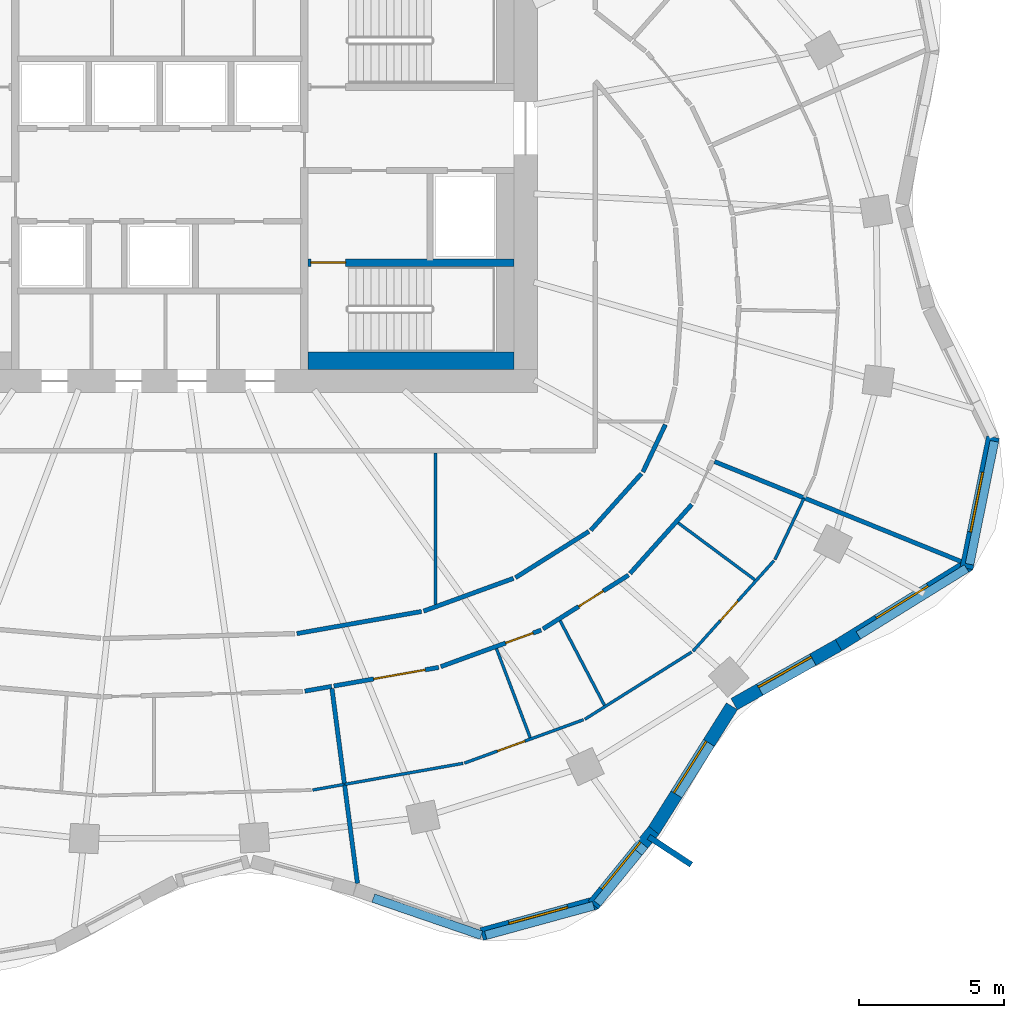
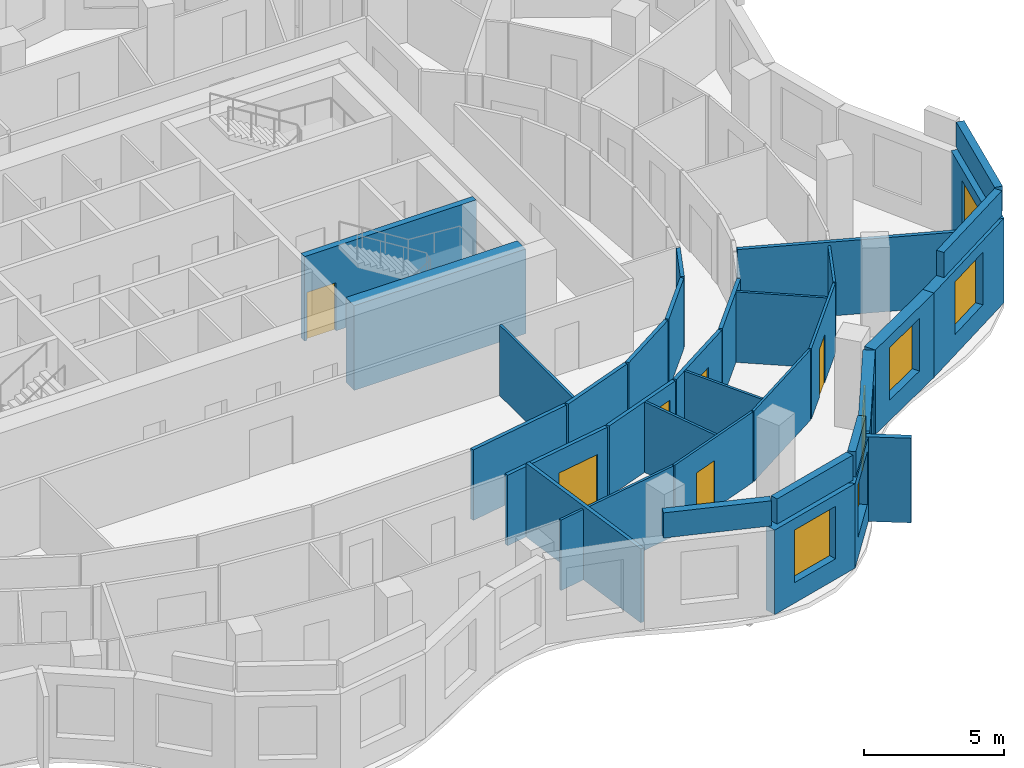
# One storey, part 6 of 11: 36 walls, 6 doors, 6 windows, 12 openings.
"""IFC4 building model written with IfcOpenShell, lengths in metres."""

from ifc_helpers import new_model, si_unit, direction, frame, frame_2d, origin, place, context, subcontext, project, spatial, rectangle, extrude, material, layer, layer_set, type_object, element, fill, save


model = new_model("IFC4")

# Units and contexts
model_context = context("Model", 3, precision=1e-05, world=origin(), true_north=direction((0.0, 1.0)))
body_context = subcontext(model_context, "Body", "Model", "MODEL_VIEW")
ifc_project = project(units=[si_unit("LENGTHUNIT", "METRE"), si_unit("AREAUNIT", "SQUARE_METRE"), si_unit("VOLUMEUNIT", "CUBIC_METRE"), si_unit("PLANEANGLEUNIT", "RADIAN"), si_unit("MASSUNIT", "GRAM", prefix="KILO")], contexts=[model_context])

# Site, building, storey
site_placement = place(None, origin())
site = spatial("IfcSite", under=ifc_project, at=site_placement, CompositionType="ELEMENT")
building_placement = place(site_placement, origin())
building = spatial("IfcBuilding", under=site, at=building_placement, Name="Rubra Terraces Tower", CompositionType="ELEMENT")
storey_placement = place(building_placement, frame((0.0, 0.0, 181.800048828125)))
storey = spatial("IfcBuildingStorey", under=building, at=storey_placement, Name="L44", CompositionType="ELEMENT", Elevation=181.800048828125)

# Wall, opening, window
ifc_material_1 = material(Name="Brick masonry red-brown", Category="masonry")
ifc_layer_1 = layer(ifc_material_1, 0.449951171875)
ifc_layer_set_1 = layer_set([ifc_layer_1], Name="Brick masonry red-brown")
wall_type_1 = type_object("IfcWallType", Name="Brick facade wall 450", PredefinedType="SOLIDWALL", material=ifc_layer_set_1)
wall_1_placement = place(storey_placement, frame((11.08251953125, -21.64990234375, 0.0), z_axis=(0.0, 0.0, 1.0), x_axis=(0.964483204983, 0.264144179011, 0.0)))
wall_1 = element("IfcWall", 1, at=wall_1_placement, inside=storey, type_object=wall_type_1, Name="Facade wall L44 bay 34", PredefinedType="SOLIDWALL", context=body_context, shape_type="SweptSolid", body=[
    extrude(rectangle(XDim=4.103759765625, YDim=0.449951171875, at=frame_2d((2.0517578125, 0.0))), origin(), (0.0, 0.0, 1.0), 3.699951171875),
])
opening_1_placement = place(wall_1_placement, frame((1.001953125, 0.0, 0.89990234375)))
opening_1 = element("IfcOpeningElement", 2, at=opening_1_placement, cuts=wall_1, Name="Opening W1B", PredefinedType="OPENING", context=body_context, shape_type="SweptSolid", body=[
    extrude(rectangle(XDim=2.10009765625, YDim=2.300048828125, at=frame_2d((1.050048828125, 1.14990234375))), frame((0.0, 0.23486328125, 0.0), z_axis=(0.0, -1.0, 0.0), x_axis=(1.0, 0.0, 0.0)), (0.0, 0.0, 1.0), 0.469970703125),
])
ifc_material_2 = material(Name="Clear glass in aluminium frame", Category="aluminium")
window_type = type_object("IfcWindowType", Name="Fixed deep-set window tall storey 2100 x 2300", PartitioningType="SINGLE_PANEL", PredefinedType="WINDOW", material=ifc_material_2)
window_1_placement = place(opening_1_placement, origin())
window_1 = element("IfcWindow", 3, at=window_1_placement, inside=storey, type_object=window_type, Name="Window L44 bay 34", OverallHeight=2.300048828125, OverallWidth=2.10009765625, PartitioningType="SINGLE_PANEL", PredefinedType="WINDOW", context=body_context, shape_type="SweptSolid", body=[
    extrude(rectangle(XDim=2.10009765625, YDim=2.300048828125, at=frame_2d((1.050048828125, 1.14990234375))), frame((0.0, 0.135009765625, 0.0), z_axis=(0.0, -1.0, 0.0), x_axis=(1.0, 0.0, 0.0)), (0.0, 0.0, 1.0), 0.06005859375),
])
fill(opening_1, window_1)

wall_2_placement = place(storey_placement, frame((14.925537109375, -20.640869140625, 0.0), z_axis=(0.0, 0.0, 1.0), x_axis=(0.631548074669, 0.775336720001, 0.0)))
wall_2 = element("IfcWall", 4, at=wall_2_placement, inside=storey, type_object=wall_type_1, Name="Facade wall L44 bay 35", PredefinedType="SOLIDWALL", context=body_context, shape_type="SweptSolid", body=[
    extrude(rectangle(XDim=3.3076171875, YDim=0.449951171875, at=frame_2d((1.65380859375, 0.0))), origin(), (0.0, 0.0, 1.0), 3.699951171875),
])
opening_2_placement = place(wall_2_placement, frame((0.603759765625, 0.0, 0.89990234375)))
opening_2 = element("IfcOpeningElement", 5, at=opening_2_placement, cuts=wall_2, Name="Opening W1B", PredefinedType="OPENING", context=body_context, shape_type="SweptSolid", body=[
    extrude(rectangle(XDim=2.10009765625, YDim=2.300048828125, at=frame_2d((1.050048828125, 1.14990234375))), frame((0.0, 0.23486328125, 0.0), z_axis=(0.0, -1.0, 0.0), x_axis=(1.0, 0.0, 0.0)), (0.0, 0.0, 1.0), 0.469970703125),
])
window_2_placement = place(opening_2_placement, origin())
window_2 = element("IfcWindow", 6, at=window_2_placement, inside=storey, type_object=window_type, Name="Window L44 bay 35", OverallHeight=2.300048828125, OverallWidth=2.10009765625, PartitioningType="SINGLE_PANEL", PredefinedType="WINDOW", context=body_context, shape_type="SweptSolid", body=[
    extrude(rectangle(XDim=2.10009765625, YDim=2.300048828125, at=frame_2d((1.050048828125, 1.14990234375))), frame((0.0, 0.135009765625, 0.0), z_axis=(0.0, -1.0, 0.0), x_axis=(1.0, 0.0, 0.0)), (0.0, 0.0, 1.0), 0.06005859375),
])
fill(opening_2, window_2)

wall_3_placement = place(storey_placement, frame((16.998291015625, -18.0986328125, 0.0), z_axis=(0.0, 0.0, 1.0), x_axis=(0.532745661304, 0.846275404559, 0.0)))
wall_3 = element("IfcWall", 7, at=wall_3_placement, inside=storey, type_object=wall_type_1, Name="Facade wall L44 bay 36", PredefinedType="SOLIDWALL", context=body_context, shape_type="SweptSolid", body=[
    extrude(rectangle(XDim=5.076171875, YDim=0.449951171875, at=frame_2d((2.5380859375, 0.0))), origin(), (0.0, 0.0, 1.0), 3.699951171875),
])
opening_3_placement = place(wall_3_placement, frame((1.488037109375, 0.0, 0.89990234375)))
opening_3 = element("IfcOpeningElement", 8, at=opening_3_placement, cuts=wall_3, Name="Opening W1B", PredefinedType="OPENING", context=body_context, shape_type="SweptSolid", body=[
    extrude(rectangle(XDim=2.10009765625, YDim=2.300048828125, at=frame_2d((1.050048828125, 1.14990234375))), frame((0.0, 0.23486328125, 0.0), z_axis=(0.0, -1.0, 0.0), x_axis=(1.0, 0.0, 0.0)), (0.0, 0.0, 1.0), 0.469970703125),
])
window_3_placement = place(opening_3_placement, origin())
window_3 = element("IfcWindow", 9, at=window_3_placement, inside=storey, type_object=window_type, Name="Window L44 bay 36", OverallHeight=2.300048828125, OverallWidth=2.10009765625, PartitioningType="SINGLE_PANEL", PredefinedType="WINDOW", context=body_context, shape_type="SweptSolid", body=[
    extrude(rectangle(XDim=2.10009765625, YDim=2.300048828125, at=frame_2d((1.050048828125, 1.14990234375))), frame((0.0, 0.135009765625, 0.0), z_axis=(0.0, -1.0, 0.0), x_axis=(1.0, 0.0, 0.0)), (0.0, 0.0, 1.0), 0.06005859375),
])
fill(opening_3, window_3)

wall_4_placement = place(storey_placement, frame((19.77587890625, -13.730712890625, 0.0), z_axis=(0.0, 0.0, 1.0), x_axis=(0.870610133829, 0.491973571318, 0.0)))
wall_4 = element("IfcWall", 10, at=wall_4_placement, inside=storey, type_object=wall_type_1, Name="Facade wall L44 bay 37", PredefinedType="SOLIDWALL", context=body_context, shape_type="SweptSolid", body=[
    extrude(rectangle(XDim=4.1337890625, YDim=0.449951171875, at=frame_2d((2.06689453125, 0.0))), origin(), (0.0, 0.0, 1.0), 3.699951171875),
])
opening_4_placement = place(wall_4_placement, frame((1.016845703125, 0.0, 0.89990234375)))
opening_4 = element("IfcOpeningElement", 11, at=opening_4_placement, cuts=wall_4, Name="Opening W1B", PredefinedType="OPENING", context=body_context, shape_type="SweptSolid", body=[
    extrude(rectangle(XDim=2.10009765625, YDim=2.300048828125, at=frame_2d((1.050048828125, 1.14990234375))), frame((0.0, 0.23486328125, 0.0), z_axis=(0.0, -1.0, 0.0), x_axis=(1.0, 0.0, 0.0)), (0.0, 0.0, 1.0), 0.469970703125),
])
window_4_placement = place(opening_4_placement, origin())
window_4 = element("IfcWindow", 12, at=window_4_placement, inside=storey, type_object=window_type, Name="Window L44 bay 37", OverallHeight=2.300048828125, OverallWidth=2.10009765625, PartitioningType="SINGLE_PANEL", PredefinedType="WINDOW", context=body_context, shape_type="SweptSolid", body=[
    extrude(rectangle(XDim=2.10009765625, YDim=2.300048828125, at=frame_2d((1.050048828125, 1.14990234375))), frame((0.0, 0.135009765625, 0.0), z_axis=(0.0, -1.0, 0.0), x_axis=(1.0, 0.0, 0.0)), (0.0, 0.0, 1.0), 0.06005859375),
])
fill(opening_4, window_4)

wall_5_placement = place(storey_placement, frame((23.368408203125, -11.700927734375, 0.0), z_axis=(0.0, 0.0, 1.0), x_axis=(0.850251408633, 0.526376806211, 0.0)))
wall_5 = element("IfcWall", 13, at=wall_5_placement, inside=storey, type_object=wall_type_1, Name="Facade wall L44 bay 38", PredefinedType="SOLIDWALL", context=body_context, shape_type="SweptSolid", body=[
    extrude(rectangle(XDim=5.30224609375, YDim=0.449951171875, at=frame_2d((2.651123046875, 0.0))), origin(), (0.0, 0.0, 1.0), 3.699951171875),
])
opening_5_placement = place(wall_5_placement, frame((1.601318359375, 0.0, 0.89990234375)))
opening_5 = element("IfcOpeningElement", 14, at=opening_5_placement, cuts=wall_5, Name="Opening W1B", PredefinedType="OPENING", context=body_context, shape_type="SweptSolid", body=[
    extrude(rectangle(XDim=2.10009765625, YDim=2.300048828125, at=frame_2d((1.050048828125, 1.14990234375))), frame((0.0, 0.23486328125, 0.0), z_axis=(0.0, -1.0, 0.0), x_axis=(1.0, 0.0, 0.0)), (0.0, 0.0, 1.0), 0.469970703125),
])
window_5_placement = place(opening_5_placement, origin())
window_5 = element("IfcWindow", 15, at=window_5_placement, inside=storey, type_object=window_type, Name="Window L44 bay 38", OverallHeight=2.300048828125, OverallWidth=2.10009765625, PartitioningType="SINGLE_PANEL", PredefinedType="WINDOW", context=body_context, shape_type="SweptSolid", body=[
    extrude(rectangle(XDim=2.10009765625, YDim=2.300048828125, at=frame_2d((1.050048828125, 1.14990234375))), frame((0.0, 0.135009765625, 0.0), z_axis=(0.0, -1.0, 0.0), x_axis=(1.0, 0.0, 0.0)), (0.0, 0.0, 1.0), 0.06005859375),
])
fill(opening_5, window_5)

wall_6_placement = place(storey_placement, frame((27.779541015625, -9.053466796875, 0.0), z_axis=(0.0, 0.0, 1.0), x_axis=(0.197796229105, 0.980243159503, 0.0)))
wall_6 = element("IfcWall", 16, at=wall_6_placement, inside=storey, type_object=wall_type_1, Name="Facade wall L44 bay 39", PredefinedType="SOLIDWALL", context=body_context, shape_type="SweptSolid", body=[
    extrude(rectangle(XDim=4.610107421875, YDim=0.449951171875, at=frame_2d((2.30517578125, 0.0))), origin(), (0.0, 0.0, 1.0), 3.699951171875),
])
opening_6_placement = place(wall_6_placement, frame((1.255126953125, 0.0, 0.89990234375)))
opening_6 = element("IfcOpeningElement", 17, at=opening_6_placement, cuts=wall_6, Name="Opening W1B", PredefinedType="OPENING", context=body_context, shape_type="SweptSolid", body=[
    extrude(rectangle(XDim=2.10009765625, YDim=2.300048828125, at=frame_2d((1.050048828125, 1.14990234375))), frame((0.0, 0.23486328125, 0.0), z_axis=(0.0, -1.0, 0.0), x_axis=(1.0, 0.0, 0.0)), (0.0, 0.0, 1.0), 0.469970703125),
])
window_6_placement = place(opening_6_placement, origin())
window_6 = element("IfcWindow", 18, at=window_6_placement, inside=storey, type_object=window_type, Name="Window L44 bay 39", OverallHeight=2.300048828125, OverallWidth=2.10009765625, PartitioningType="SINGLE_PANEL", PredefinedType="WINDOW", context=body_context, shape_type="SweptSolid", body=[
    extrude(rectangle(XDim=2.10009765625, YDim=2.300048828125, at=frame_2d((1.050048828125, 1.14990234375))), frame((0.0, 0.135009765625, 0.0), z_axis=(0.0, -1.0, 0.0), x_axis=(1.0, 0.0, 0.0)), (0.0, 0.0, 1.0), 0.06005859375),
])
fill(opening_6, window_6)

# Walls
ifc_layer_2 = layer(ifc_material_1, 0.300048828125)
ifc_layer_set_2 = layer_set([ifc_layer_2], Name="Brick masonry red-brown")
wall_type_2 = type_object("IfcWallType", Name="Brick parapet 300", PredefinedType="PARAPET", material=ifc_layer_set_2)
wall_7_placement = place(storey_placement, frame((7.3515625, -20.40869140625, 3.89990234375), z_axis=(0.0, 0.0, 1.0), x_axis=(0.945937789937, -0.32434811171, 0.0)))
element("IfcWall", 19, at=wall_7_placement, inside=storey, type_object=wall_type_2, Name="Parapet L44 bay 33", PredefinedType="PARAPET", context=body_context, shape_type="SweptSolid", body=[
    extrude(rectangle(XDim=3.93603515625, YDim=0.300048828125, at=frame_2d((1.968017578125, 0.0))), origin(), (0.0, 0.0, 1.0), 1.10009765625),
])
wall_8_placement = place(storey_placement, frame((11.220458984375, -21.68994140625, 3.89990234375), z_axis=(0.0, 0.0, 1.0), x_axis=(0.964484148392, 0.264140734271, 0.0)))
element("IfcWall", 20, at=wall_8_placement, inside=storey, type_object=wall_type_2, Name="Parapet L44 bay 34", PredefinedType="PARAPET", context=body_context, shape_type="SweptSolid", body=[
    extrude(rectangle(XDim=3.855224609375, YDim=0.300048828125, at=frame_2d((1.927734375, 0.0))), origin(), (0.0, 0.0, 1.0), 1.10009765625),
])
wall_9_placement = place(storey_placement, frame((15.063232421875, -20.590576171875, 3.89990234375), z_axis=(0.0, 0.0, 1.0), x_axis=(0.631559943447, 0.775327052174, 0.0)))
element("IfcWall", 21, at=wall_9_placement, inside=storey, type_object=wall_type_2, Name="Parapet L44 bay 35", PredefinedType="PARAPET", context=body_context, shape_type="SweptSolid", body=[
    extrude(rectangle(XDim=2.26025390625, YDim=0.300048828125, at=frame_2d((1.130126953125, 0.0))), origin(), (0.0, 0.0, 1.0), 1.10009765625),
])
wall_10_placement = place(storey_placement, frame((24.05712890625, -11.36279296875, 3.89990234375), z_axis=(0.0, 0.0, 1.0), x_axis=(0.85023666639, 0.526400618471, 0.0)))
element("IfcWall", 22, at=wall_10_placement, inside=storey, type_object=wall_type_2, Name="Parapet L44 bay 38", PredefinedType="PARAPET", context=body_context, shape_type="SweptSolid", body=[
    extrude(rectangle(XDim=4.384765625, YDim=0.300048828125, at=frame_2d((2.1923828125, 0.0))), origin(), (0.0, 0.0, 1.0), 1.10009765625),
])
wall_11_placement = place(storey_placement, frame((27.884521484375, -8.91162109375, 3.89990234375), z_axis=(0.0, 0.0, 1.0), x_axis=(0.197855213088, 0.980231255701, 0.0)))
element("IfcWall", 23, at=wall_11_placement, inside=storey, type_object=wall_type_2, Name="Parapet L44 bay 39", PredefinedType="PARAPET", context=body_context, shape_type="SweptSolid", body=[
    extrude(rectangle(XDim=4.31884765625, YDim=0.300048828125, at=frame_2d((2.159423828125, 0.0))), origin(), (0.0, 0.0, 1.0), 1.10009765625),
])
ifc_layer_3 = layer(ifc_material_1, 0.199951171875)
ifc_layer_set_3 = layer_set([ifc_layer_3], Name="Brick masonry red-brown")
wall_type_3 = type_object("IfcWallType", Name="Brick wind fin 200", PredefinedType="SOLIDWALL", material=ifc_layer_set_3)
wall_12_placement = place(storey_placement, frame((16.837890625, -18.298095703125, 0.0), z_axis=(0.0, 0.0, 1.0), x_axis=(0.835871900419, -0.548924554097, 0.0)))
element("IfcWall", 24, at=wall_12_placement, inside=storey, type_object=wall_type_3, Name="Wind fin L44 21", PredefinedType="SOLIDWALL", context=body_context, shape_type="SweptSolid", body=[
    extrude(rectangle(XDim=1.750244140625, YDim=0.199951171875, at=frame_2d((0.875, 0.0))), origin(), (0.0, 0.0, 1.0), 3.699951171875),
])
ifc_material_3 = material(Name="Plasterboard on steel stud, mineral wool infill", Category="steel")
ifc_layer_4 = layer(ifc_material_3, 0.14990234375)
ifc_layer_set_4 = layer_set([ifc_layer_4], Name="Plasterboard on steel stud, mineral wool infill")
wall_type_4 = type_object("IfcWallType", Name="CORRIDOR PARTITION 150", PredefinedType="PARTITIONING", material=ifc_layer_set_4)
wall_13_placement = place(storey_placement, frame((4.994873046875, -13.28125, 0.0), z_axis=(0.0, 0.0, 1.0), x_axis=(0.984615318048, 0.174736016506, 0.0)))
element("IfcWall", 25, at=wall_13_placement, inside=storey, type_object=wall_type_4, Name="PARTITION", PredefinedType="PARTITIONING", context=body_context, shape_type="SweptSolid", body=[
    extrude(rectangle(XDim=0.9375, YDim=0.14990234375, at=frame_2d((0.46875, 0.0))), origin(), (0.0, 0.0, 1.0), 3.083984375),
])

# Wall, opening, door
wall_14_placement = place(storey_placement, frame((5.99169921875, -13.1044921875, 0.0), z_axis=(0.0, 0.0, 1.0), x_axis=(0.98463249319, 0.174639209096, 0.0)))
wall_14 = element("IfcWall", 26, at=wall_14_placement, inside=storey, type_object=wall_type_4, Name="PARTITION", PredefinedType="PARTITIONING", context=body_context, shape_type="SweptSolid", body=[
    extrude(rectangle(XDim=3.669677734375, YDim=0.14990234375, at=frame_2d((1.8349609375, 0.0))), origin(), (0.0, 0.0, 1.0), 3.083984375),
])
opening_7_placement = place(wall_14_placement, frame((1.39990234375, 0.0, 0.0)))
opening_7 = element("IfcOpeningElement", 27, at=opening_7_placement, cuts=wall_14, Name="Opening 44-119", PredefinedType="OPENING", context=body_context, shape_type="SweptSolid", body=[
    extrude(rectangle(XDim=1.800048828125, YDim=2.10009765625, at=frame_2d((0.89990234375, 1.050048828125))), frame((0.0, 0.0849609375, 0.0), z_axis=(0.0, -1.0, 0.0), x_axis=(1.0, 0.0, 0.0)), (0.0, 0.0, 1.0), 0.169921875),
])
ifc_material_4 = material(Name="Painted timber door leaf, double", Category="wood")
door_type_1 = type_object("IfcDoorType", Name="ROOM DOUBLE DOOR 1800 X 2100", OperationType="DOUBLE_DOOR_SINGLE_SWING", PredefinedType="DOOR", material=ifc_material_4)
door_1_placement = place(opening_7_placement, origin())
door_1 = element("IfcDoor", 28, at=door_1_placement, inside=storey, type_object=door_type_1, Name="DOOR 44-119", OperationType="DOUBLE_DOOR_SINGLE_SWING", OverallHeight=2.10009765625, OverallWidth=1.800048828125, PredefinedType="DOOR", context=body_context, shape_type="SweptSolid", body=[
    extrude(rectangle(XDim=1.800048828125, YDim=2.10009765625, at=frame_2d((0.89990234375, 1.050048828125))), frame((0.0, 0.02490234375, 0.0), z_axis=(0.0, -1.0, 0.0), x_axis=(1.0, 0.0, 0.0)), (0.0, 0.0, 1.0), 0.050048828125),
])
fill(opening_7, door_1)

wall_15_placement = place(storey_placement, frame((9.675537109375, -12.43798828125, 0.0), z_axis=(0.0, 0.0, 1.0), x_axis=(0.939640289748, 0.342163887461, 0.0)))
wall_15 = element("IfcWall", 29, at=wall_15_placement, inside=storey, type_object=wall_type_4, Name="PARTITION", PredefinedType="PARTITIONING", context=body_context, shape_type="SweptSolid", body=[
    extrude(rectangle(XDim=3.6796875, YDim=0.14990234375, at=frame_2d((1.83984375, 0.0))), origin(), (0.0, 0.0, 1.0), 3.083984375),
])
opening_8_placement = place(wall_15_placement, frame((2.3798828125, 0.0, 0.0)))
opening_8 = element("IfcOpeningElement", 30, at=opening_8_placement, cuts=wall_15, Name="Opening 44-120", PredefinedType="OPENING", context=body_context, shape_type="SweptSolid", body=[
    extrude(rectangle(XDim=1.0, YDim=2.39990234375, at=frame_2d((0.5, 1.199951171875))), frame((0.0, 0.0849609375, 0.0), z_axis=(0.0, -1.0, 0.0), x_axis=(1.0, 0.0, 0.0)), (0.0, 0.0, 1.0), 0.169921875),
])
ifc_material_5 = material(Name="Glazed aluminium meeting door leaf", Category="aluminium")
door_type_2 = type_object("IfcDoorType", Name="MEETING ROOM GLAZED DOOR 1000 X 2400", OperationType="SINGLE_SWING_LEFT", PredefinedType="DOOR", material=ifc_material_5)
door_2_placement = place(opening_8_placement, origin())
door_2 = element("IfcDoor", 31, at=door_2_placement, inside=storey, type_object=door_type_2, Name="DOOR 44-120", OperationType="SINGLE_SWING_RIGHT", OverallHeight=2.39990234375, OverallWidth=1.0, PredefinedType="DOOR", context=body_context, shape_type="SweptSolid", body=[
    extrude(rectangle(XDim=1.0, YDim=2.39990234375, at=frame_2d((0.5, 1.199951171875))), frame((0.0, 0.02490234375, 0.0), z_axis=(0.0, -1.0, 0.0), x_axis=(1.0, 0.0, 0.0)), (0.0, 0.0, 1.0), 0.050048828125),
])
fill(opening_8, door_2)

wall_16_placement = place(storey_placement, frame((13.196533203125, -11.138916015625, 0.0), z_axis=(0.0, 0.0, 1.0), x_axis=(0.846390903833, 0.532562144644, 0.0)))
wall_16 = element("IfcWall", 32, at=wall_16_placement, inside=storey, type_object=wall_type_4, Name="PARTITION", PredefinedType="PARTITIONING", context=body_context, shape_type="SweptSolid", body=[
    extrude(rectangle(XDim=3.481201171875, YDim=0.14990234375, at=frame_2d((1.74072265625, 0.0))), origin(), (0.0, 0.0, 1.0), 3.083984375),
])
opening_9_placement = place(wall_16_placement, frame((1.449951171875, 0.0, 0.0)))
opening_9 = element("IfcOpeningElement", 33, at=opening_9_placement, cuts=wall_16, Name="Opening 44-140", PredefinedType="OPENING", context=body_context, shape_type="SweptSolid", body=[
    extrude(rectangle(XDim=1.0, YDim=2.10009765625, at=frame_2d((0.5, 1.050048828125))), frame((0.0, 0.0849609375, 0.0), z_axis=(0.0, -1.0, 0.0), x_axis=(1.0, 0.0, 0.0)), (0.0, 0.0, 1.0), 0.169921875),
])
ifc_material_6 = material(Name="Painted timber door leaf", Category="wood")
door_type_3 = type_object("IfcDoorType", Name="ROOM DOOR 1000 X 2100", OperationType="SINGLE_SWING_LEFT", PredefinedType="DOOR", material=ifc_material_6)
door_3_placement = place(opening_9_placement, origin())
door_3 = element("IfcDoor", 34, at=door_3_placement, inside=storey, type_object=door_type_3, Name="DOOR 44-140", OperationType="SINGLE_SWING_RIGHT", OverallHeight=2.10009765625, OverallWidth=1.0, PredefinedType="DOOR", context=body_context, shape_type="SweptSolid", body=[
    extrude(rectangle(XDim=1.0, YDim=2.10009765625, at=frame_2d((0.5, 1.050048828125))), frame((0.0, 0.02490234375, 0.0), z_axis=(0.0, -1.0, 0.0), x_axis=(1.0, 0.0, 0.0)), (0.0, 0.0, 1.0), 0.050048828125),
])
fill(opening_9, door_3)

# Walls
wall_17_placement = place(storey_placement, frame((16.193115234375, -9.22900390625, 0.0), z_axis=(0.0, 0.0, 1.0), x_axis=(0.666882089048, 0.745163256815, 0.0)))
element("IfcWall", 35, at=wall_17_placement, inside=storey, type_object=wall_type_4, Name="PARTITION", PredefinedType="PARTITIONING", context=body_context, shape_type="SweptSolid", body=[
    extrude(rectangle(XDim=3.1904296875, YDim=0.14990234375, at=frame_2d((1.59521484375, 0.0))), origin(), (0.0, 0.0, 1.0), 3.083984375),
])
wall_18_placement = place(storey_placement, frame((17.410400390625, -4.1015625, 0.0), z_axis=(0.0, 0.0, 1.0), x_axis=(-0.428074720318, -0.903743345107, 0.0)))
element("IfcWall", 36, at=wall_18_placement, inside=storey, type_object=wall_type_4, Name="PARTITION", PredefinedType="PARTITIONING", context=body_context, shape_type="SweptSolid", body=[
    extrude(rectangle(XDim=1.8056640625, YDim=0.14990234375, at=frame_2d((0.90283203125, 0.0))), origin(), (0.0, 0.0, 1.0), 3.083984375),
])
wall_19_placement = place(storey_placement, frame((16.58740234375, -5.789306640625, 0.0), z_axis=(0.0, 0.0, 1.0), x_axis=(-0.666887460656, -0.745158449472, 0.0)))
element("IfcWall", 37, at=wall_19_placement, inside=storey, type_object=wall_type_4, Name="PARTITION", PredefinedType="PARTITIONING", context=body_context, shape_type="SweptSolid", body=[
    extrude(rectangle(XDim=2.6201171875, YDim=0.14990234375, at=frame_2d((1.31005859375, 0.0))), origin(), (0.0, 0.0, 1.0), 3.083984375),
])
wall_20_placement = place(storey_placement, frame((14.776611328125, -7.781494140625, 0.0), z_axis=(0.0, 0.0, 1.0), x_axis=(-0.846359741043, -0.532611667862, 0.0)))
element("IfcWall", 38, at=wall_20_placement, inside=storey, type_object=wall_type_4, Name="PARTITION", PredefinedType="PARTITIONING", context=body_context, shape_type="SweptSolid", body=[
    extrude(rectangle(XDim=2.9873046875, YDim=0.14990234375, at=frame_2d((1.49365234375, 0.0))), origin(), (0.0, 0.0, 1.0), 3.083984375),
])
wall_21_placement = place(storey_placement, frame((12.177734375, -9.398193359375, 0.0), z_axis=(0.0, 0.0, 1.0), x_axis=(-0.939609240084, -0.342249143093, 0.0)))
element("IfcWall", 39, at=wall_21_placement, inside=storey, type_object=wall_type_4, Name="PARTITION", PredefinedType="PARTITIONING", context=body_context, shape_type="SweptSolid", body=[
    extrude(rectangle(XDim=3.2919921875, YDim=0.14990234375, at=frame_2d((1.64599609375, 0.0))), origin(), (0.0, 0.0, 1.0), 3.083984375),
])
wall_22_placement = place(storey_placement, frame((9.010498046875, -10.5380859375, 0.0), z_axis=(0.0, 0.0, 1.0), x_axis=(-0.984645638575, -0.174565077936, 0.0)))
element("IfcWall", 40, at=wall_22_placement, inside=storey, type_object=wall_type_4, Name="PARTITION", PredefinedType="PARTITIONING", context=body_context, shape_type="SweptSolid", body=[
    extrude(rectangle(XDim=4.35791015625, YDim=0.14990234375, at=frame_2d((2.178955078125, 0.0))), origin(), (0.0, 0.0, 1.0), 3.083984375),
])
ifc_material_7 = material(Name="Concrete C40", Category="concrete")
ifc_layer_5 = layer(ifc_material_7, 0.60009765625)
ifc_layer_set_5 = layer_set([ifc_layer_5], Name="Concrete C40")
wall_type_5 = type_object("IfcWallType", Name="Core lining wall 600 concrete", PredefinedType="SOLIDWALL", material=ifc_layer_set_5)
wall_23_placement = place(storey_placement, frame((12.199951171875, -1.89990234375, 0.0), z_axis=(0.0, 0.0, 1.0), x_axis=(-1.0, 0.0, 0.0)))
element("IfcWall", 41, at=wall_23_placement, inside=storey, type_object=wall_type_5, Name="CORE LINING WALL L44", PredefinedType="SOLIDWALL", context=body_context, shape_type="SweptSolid", body=[
    extrude(rectangle(XDim=7.099853515625, YDim=0.60009765625, at=frame_2d((3.5498046875, 0.0))), origin(), (0.0, 0.0, 1.0), 3.699951171875),
])
ifc_material_8 = material(Name="Plasterboard on steel stud", Category="steel")
ifc_layer_6 = layer(ifc_material_8, 0.10009765625)
ifc_layer_set_6 = layer_set([ifc_layer_6], Name="Plasterboard on steel stud")
wall_type_6 = type_object("IfcWallType", Name="ROOM PARTITION 100", PredefinedType="PARTITIONING", material=ifc_layer_set_6)
wall_24_placement = place(storey_placement, frame((6.34033203125, -16.49560546875, 0.0), z_axis=(0.0, 0.0, 1.0), x_axis=(-0.984632558058, -0.174638843366, 0.0)))
element("IfcWall", 42, at=wall_24_placement, inside=storey, type_object=wall_type_6, Name="PARTITION", PredefinedType="PARTITIONING", context=body_context, shape_type="SweptSolid", body=[
    extrude(rectangle(XDim=1.09326171875, YDim=0.10009765625, at=frame_2d((0.546630859375, 0.0))), origin(), (0.0, 0.0, 1.0), 3.083984375),
])
wall_25_placement = place(storey_placement, frame((22.18115234375, -6.64453125, 0.0), z_axis=(0.0, 0.0, 1.0), x_axis=(-0.428144841987, -0.903710127353, 0.0)))
element("IfcWall", 43, at=wall_25_placement, inside=storey, type_object=wall_type_6, Name="PARTITION", PredefinedType="PARTITIONING", context=body_context, shape_type="SweptSolid", body=[
    extrude(rectangle(XDim=2.332275390625, YDim=0.10009765625, at=frame_2d((1.166015625, 0.0))), origin(), (0.0, 0.0, 1.0), 3.083984375),
])

# Wall, opening, door
wall_26_placement = place(storey_placement, frame((21.1494140625, -8.789306640625, 0.0), z_axis=(0.0, 0.0, 1.0), x_axis=(-0.666915902537, -0.745132994132, 0.0)))
wall_26 = element("IfcWall", 44, at=wall_26_placement, inside=storey, type_object=wall_type_6, Name="PARTITION", PredefinedType="PARTITIONING", context=body_context, shape_type="SweptSolid", body=[
    extrude(rectangle(XDim=4.185791015625, YDim=0.10009765625, at=frame_2d((2.0927734375, 0.0))), origin(), (0.0, 0.0, 1.0), 3.083984375),
])
opening_10_placement = place(wall_26_placement, frame((1.868896484375, 0.0, 0.0)))
opening_10 = element("IfcOpeningElement", 45, at=opening_10_placement, cuts=wall_26, Name="Opening 44-121", PredefinedType="OPENING", context=body_context, shape_type="SweptSolid", body=[
    extrude(rectangle(XDim=0.89990234375, YDim=2.10009765625, at=frame_2d((0.449951171875, 1.050048828125))), frame((0.0, 0.06005859375, 0.0), z_axis=(0.0, -1.0, 0.0), x_axis=(1.0, 0.0, 0.0)), (0.0, 0.0, 1.0), 0.1201171875),
])
door_type_4 = type_object("IfcDoorType", Name="ROOM DOOR 900 X 2100", OperationType="SINGLE_SWING_LEFT", PredefinedType="DOOR", material=ifc_material_6)
door_4_placement = place(opening_10_placement, origin())
door_4 = element("IfcDoor", 46, at=door_4_placement, inside=storey, type_object=door_type_4, Name="DOOR 44-121", OperationType="SINGLE_SWING_LEFT", OverallHeight=2.10009765625, OverallWidth=0.89990234375, PredefinedType="DOOR", context=body_context, shape_type="SweptSolid", body=[
    extrude(rectangle(XDim=0.89990234375, YDim=2.10009765625, at=frame_2d((0.449951171875, 1.050048828125))), frame((0.0, 0.02490234375, 0.0), z_axis=(0.0, -1.0, 0.0), x_axis=(1.0, 0.0, 0.0)), (0.0, 0.0, 1.0), 0.050048828125),
])
fill(opening_10, door_4)

# Wall
wall_27_placement = place(storey_placement, frame((18.315673828125, -11.934814453125, 0.0), z_axis=(0.0, 0.0, 1.0), x_axis=(-0.84637539713, -0.532586788358, 0.0)))
element("IfcWall", 47, at=wall_27_placement, inside=storey, type_object=wall_type_6, Name="PARTITION", PredefinedType="PARTITIONING", context=body_context, shape_type="SweptSolid", body=[
    extrude(rectangle(XDim=4.34619140625, YDim=0.10009765625, at=frame_2d((2.173095703125, 0.0))), origin(), (0.0, 0.0, 1.0), 3.083984375),
])

# Wall, opening, door
wall_28_placement = place(storey_placement, frame((14.590087890625, -14.2666015625, 0.0), z_axis=(0.0, 0.0, 1.0), x_axis=(-0.939623405418, -0.342210251148, 0.0)))
wall_28 = element("IfcWall", 48, at=wall_28_placement, inside=storey, type_object=wall_type_6, Name="PARTITION", PredefinedType="PARTITIONING", context=body_context, shape_type="SweptSolid", body=[
    extrude(rectangle(XDim=4.36328125, YDim=0.10009765625, at=frame_2d((2.181640625, 0.0))), origin(), (0.0, 0.0, 1.0), 3.083984375),
])
opening_11_placement = place(wall_28_placement, frame((2.14990234375, 0.0, 0.0)))
opening_11 = element("IfcOpeningElement", 49, at=opening_11_placement, cuts=wall_28, Name="Opening 44-139", PredefinedType="OPENING", context=body_context, shape_type="SweptSolid", body=[
    extrude(rectangle(XDim=1.0, YDim=2.10009765625, at=frame_2d((0.5, 1.050048828125))), frame((0.0, 0.06005859375, 0.0), z_axis=(0.0, -1.0, 0.0), x_axis=(1.0, 0.0, 0.0)), (0.0, 0.0, 1.0), 0.1201171875),
])
door_5_placement = place(opening_11_placement, origin())
door_5 = element("IfcDoor", 50, at=door_5_placement, inside=storey, type_object=door_type_3, Name="DOOR 44-139", OperationType="SINGLE_SWING_LEFT", OverallHeight=2.10009765625, OverallWidth=1.0, PredefinedType="DOOR", context=body_context, shape_type="SweptSolid", body=[
    extrude(rectangle(XDim=1.0, YDim=2.10009765625, at=frame_2d((0.5, 1.050048828125))), frame((0.0, 0.02490234375, 0.0), z_axis=(0.0, -1.0, 0.0), x_axis=(1.0, 0.0, 0.0)), (0.0, 0.0, 1.0), 0.050048828125),
])
fill(opening_11, door_5)

# Walls
wall_29_placement = place(storey_placement, frame((10.441162109375, -15.7685546875, 0.0), z_axis=(0.0, 0.0, 1.0), x_axis=(-0.984637220861, -0.174612551941, 0.0)))
element("IfcWall", 51, at=wall_29_placement, inside=storey, type_object=wall_type_6, Name="PARTITION", PredefinedType="PARTITIONING", context=body_context, shape_type="SweptSolid", body=[
    extrude(rectangle(XDim=4.124755859375, YDim=0.10009765625, at=frame_2d((2.0625, 0.0))), origin(), (0.0, 0.0, 1.0), 3.083984375),
])
wall_30_placement = place(storey_placement, frame((11.593505859375, -11.8193359375, 0.0), z_axis=(0.0, 0.0, 1.0), x_axis=(0.354584575087, -0.935023945742, 0.0)))
element("IfcWall", 52, at=wall_30_placement, inside=storey, type_object=wall_type_6, Name="PARTITION", PredefinedType="PARTITIONING", context=body_context, shape_type="SweptSolid", body=[
    extrude(rectangle(XDim=3.275390625, YDim=0.10009765625, at=frame_2d((1.6376953125, 0.0))), origin(), (0.0, 0.0, 1.0), 3.083984375),
])
wall_31_placement = place(storey_placement, frame((13.7861328125, -10.856201171875, 0.0), z_axis=(0.0, 0.0, 1.0), x_axis=(0.464015323866, -0.885827172318, 0.0)))
element("IfcWall", 53, at=wall_31_placement, inside=storey, type_object=wall_type_6, Name="PARTITION", PredefinedType="PARTITIONING", context=body_context, shape_type="SweptSolid", body=[
    extrude(rectangle(XDim=3.285888671875, YDim=0.10009765625, at=frame_2d((1.64306640625, 0.0))), origin(), (0.0, 0.0, 1.0), 3.083984375),
])
wall_32_placement = place(storey_placement, frame((17.852783203125, -7.486572265625, 0.0), z_axis=(0.0, 0.0, 1.0), x_axis=(0.802681916891, -0.596407361034, 0.0)))
element("IfcWall", 54, at=wall_32_placement, inside=storey, type_object=wall_type_6, Name="PARTITION", PredefinedType="PARTITIONING", context=body_context, shape_type="SweptSolid", body=[
    extrude(rectangle(XDim=3.2890625, YDim=0.10009765625, at=frame_2d((1.64453125, 0.0))), origin(), (0.0, 0.0, 1.0), 3.083984375),
])
wall_33_placement = place(storey_placement, frame((9.5, -10.298583984375, 0.0), z_axis=(0.0, 0.0, 1.0), x_axis=(0.0, 1.0, 0.0)))
element("IfcWall", 55, at=wall_33_placement, inside=storey, type_object=wall_type_6, Name="PARTITION", PredefinedType="PARTITIONING", context=body_context, shape_type="SweptSolid", body=[
    extrude(rectangle(XDim=5.2236328125, YDim=0.10009765625, at=frame_2d((2.61181640625, 0.0))), origin(), (0.0, 0.0, 1.0), 3.083984375),
])
ifc_layer_7 = layer(ifc_material_8, 0.14990234375)
ifc_layer_set_7 = layer_set([ifc_layer_7], Name="Plasterboard on steel stud")
wall_type_7 = type_object("IfcWallType", Name="ROOM PARTITION 150", PredefinedType="PARTITIONING", material=ifc_layer_set_7)
wall_34_placement = place(storey_placement, frame((6.806640625, -19.900634765625, 0.0), z_axis=(0.0, 0.0, 1.0), x_axis=(-0.129934596003, 0.991522566945, 0.0)))
element("IfcWall", 56, at=wall_34_placement, inside=storey, type_object=wall_type_7, Name="PARTITION", PredefinedType="PARTITIONING", context=body_context, shape_type="SweptSolid", body=[
    extrude(rectangle(XDim=6.76611328125, YDim=0.14990234375, at=frame_2d((3.383056640625, 0.0))), origin(), (0.0, 0.0, 1.0), 3.23388671875),
])
wall_35_placement = place(storey_placement, frame((27.5927734375, -8.816162109375, 0.0), z_axis=(0.0, 0.0, 1.0), x_axis=(-0.9267854071, 0.375591279433, 0.0)))
element("IfcWall", 57, at=wall_35_placement, inside=storey, type_object=wall_type_7, Name="PARTITION", PredefinedType="PARTITIONING", context=body_context, shape_type="SweptSolid", body=[
    extrude(rectangle(XDim=9.16064453125, YDim=0.14990234375, at=frame_2d((4.580322265625, 0.0))), origin(), (0.0, 0.0, 1.0), 3.23388671875),
])

# Wall, opening, door
ifc_layer_8 = layer(ifc_material_7, 0.25)
ifc_layer_set_8 = layer_set([ifc_layer_8], Name="Concrete C40")
wall_type_8 = type_object("IfcWallType", Name="Stair enclosure wall 250 concrete", PredefinedType="SOLIDWALL", material=ifc_layer_set_8)
wall_36_placement = place(storey_placement, frame((12.199951171875, 1.47509765625, 0.0), z_axis=(0.0, 0.0, 1.0), x_axis=(-1.0, 0.0, 0.0)))
wall_36 = element("IfcWall", 58, at=wall_36_placement, inside=storey, type_object=wall_type_8, Name="STAIR WALL L44", PredefinedType="SOLIDWALL", context=body_context, shape_type="SweptSolid", body=[
    extrude(rectangle(XDim=7.099853515625, YDim=0.25, at=frame_2d((3.5498046875, 0.0))), origin(), (0.0, 0.0, 1.0), 3.699951171875),
])
opening_12_placement = place(wall_36_placement, frame((5.800048828125, 0.0, 0.0)))
opening_12 = element("IfcOpeningElement", 59, at=opening_12_placement, cuts=wall_36, Name="Opening L44.C10", PredefinedType="OPENING", context=body_context, shape_type="SweptSolid", body=[
    extrude(rectangle(XDim=1.199951171875, YDim=2.10009765625, at=frame_2d((0.60009765625, 1.050048828125))), frame((0.0, 0.135009765625, 0.0), z_axis=(0.0, -1.0, 0.0), x_axis=(1.0, 0.0, 0.0)), (0.0, 0.0, 1.0), 0.27001953125),
])
ifc_material_9 = material(Name="Painted steel", Category="steel")
door_type_5 = type_object("IfcDoorType", Name="Fire door 1200x2100 single", OperationType="NOTDEFINED", PredefinedType="DOOR", material=ifc_material_9)
door_6_placement = place(opening_12_placement, origin())
door_6 = element("IfcDoor", 60, at=door_6_placement, inside=storey, type_object=door_type_5, Name="Stair door S4", OperationType="SINGLE_SWING_RIGHT", OverallHeight=2.10009765625, OverallWidth=1.199951171875, PredefinedType="DOOR", context=body_context, shape_type="SweptSolid", body=[
    extrude(rectangle(XDim=1.199951171875, YDim=2.10009765625, at=frame_2d((0.60009765625, 1.050048828125))), frame((0.0, 0.02490234375, 0.0), z_axis=(0.0, -1.0, 0.0), x_axis=(1.0, 0.0, 0.0)), (0.0, 0.0, 1.0), 0.050048828125),
])
fill(opening_12, door_6)

save(model, "model.ifc")
